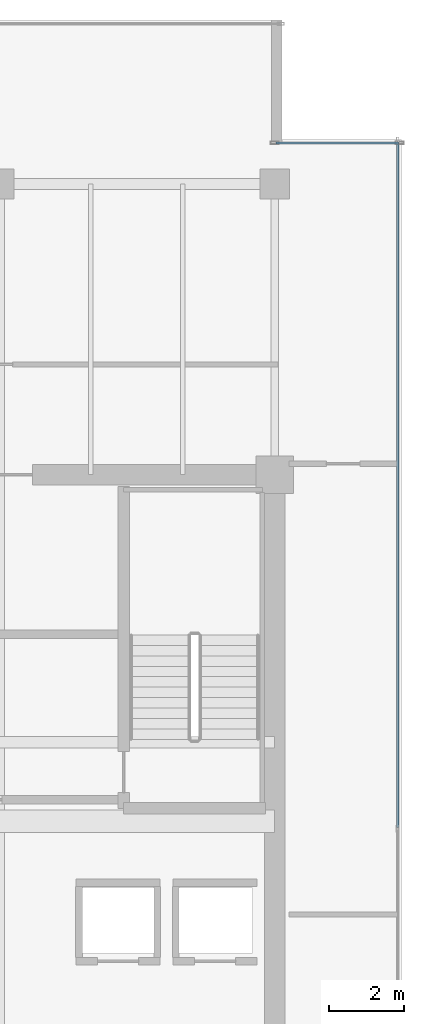
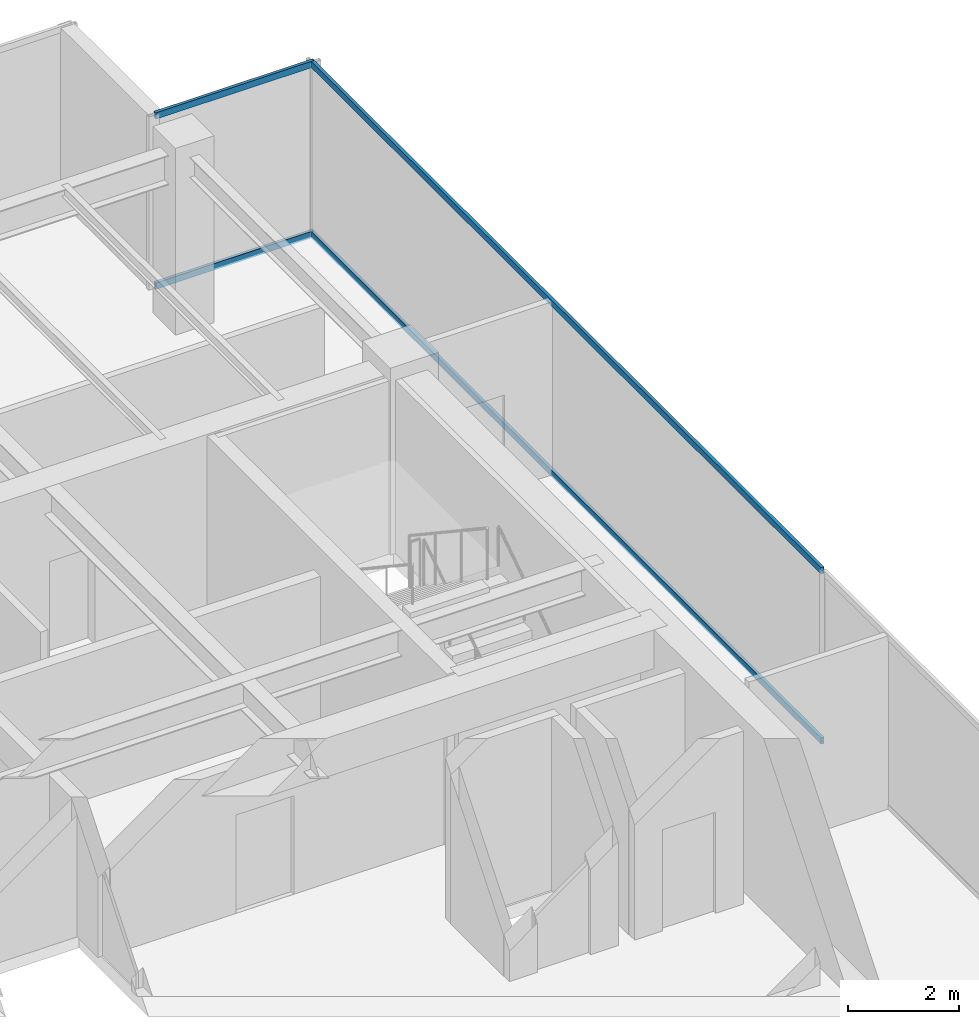
# One storey, part 25 of 33: 4 members, 2 elements without a shape of their own.
"""IFC4 building model written with IfcOpenShell, lengths in metres."""

from ifc_helpers import new_model, si_unit, direction, frame, origin, origin_2d, place, context, subcontext, project, spatial, hollow_rectangle, extrude, source, transform, mapped, material, layer, layer_set, material_profile, profile_set, type_object, type_shapes, element, aggregate, save


model = new_model("IFC4")

# Units and contexts
model_context = context("Model", 3, precision=1e-05, world=origin(), true_north=direction((0.0, 1.0)))
body_context = subcontext(model_context, "Body", "Model", "MODEL_VIEW")
ifc_project = project(units=[si_unit("LENGTHUNIT", "METRE"), si_unit("AREAUNIT", "SQUARE_METRE"), si_unit("VOLUMEUNIT", "CUBIC_METRE"), si_unit("PLANEANGLEUNIT", "RADIAN"), si_unit("MASSUNIT", "GRAM", prefix="KILO")], contexts=[model_context])

# Site, building, storey
site_placement = place(None, origin())
site = spatial("IfcSite", under=ifc_project, at=site_placement, CompositionType="ELEMENT")
building_placement = place(site_placement, origin())
building = spatial("IfcBuilding", under=site, at=building_placement, Name="Haelvirn Gate Laboratories", CompositionType="ELEMENT")
storey_placement = place(building_placement, frame((0.0, 0.0, 267.0)))
storey = spatial("IfcBuildingStorey", under=building, at=storey_placement, Name="L64", CompositionType="ELEMENT", Elevation=267.0)

# Curtain wall, members
ifc_material_1 = material(Name="Anodised bronze unitised aluminium & triple low-E glass", Category="aluminium")
ifc_layer_1 = layer(ifc_material_1, 0.181884765625, Name="CW-SYS-5")
ifc_layer_set_1 = layer_set([ifc_layer_1], Name="Anodised bronze unitised aluminium & triple low-E glass")
curtain_wall_type_1 = type_object("IfcCurtainWallType", Name="CW-SYS-5", PredefinedType="NOTDEFINED", material=ifc_layer_set_1)
curtain_wall_1_placement = place(storey_placement, origin())
curtain_wall_1 = element("IfcCurtainWall", 1, at=curtain_wall_1_placement, inside=storey, type_object=curtain_wall_type_1, Name="L64 Unitised Curtain Wall CW-L64-P0-E08-1", PredefinedType="NOTDEFINED")
ifc_material_2 = material(Name="Extruded aluminium 6063-T6 (anodised bronze)", Category="aluminium")
ifc_material_profile = material_profile(ifc_material_2, hollow_rectangle(XDim=0.06494140625, YDim=0.139892578125, WallThickness=0.00390625, at=origin_2d()), Name="CWT-140x65x4")
ifc_profile_set = profile_set([ifc_material_profile], Name="Extruded aluminium 6063-T6 (anodised bronze)")
member_type = type_object("IfcMemberType", Name="CWT-T140", PredefinedType="USERDEFINED", material=ifc_profile_set)
shared_shape_1 = source(origin(), body_context, "Body", "SweptSolid", [
    extrude(hollow_rectangle(XDim=0.06494140625, YDim=0.139892578125, WallThickness=0.00390625, at=origin_2d()), origin(), (0.0, 0.0, 1.0), 3.280029296875),
])
member_1_placement = place(storey_placement, frame((67.43994140625, 42.699951171875, 0.032470703125), z_axis=(1.0, 0.0, 0.0), x_axis=(0.0, 1.0, 0.0)))
member_1 = element("IfcMember", 2, at=member_1_placement, type_object=member_type, Name="CW5 transom 1.1", ObjectType="TRANSOM", PredefinedType="USERDEFINED", context=body_context, shape_type="MappedRepresentation", body=[
    mapped(shared_shape_1, transform((0.0, 0.0, 0.0), scale=1.0)),
])
member_2_placement = place(storey_placement, frame((67.43994140625, 42.699951171875, 3.767578125), z_axis=(1.0, 0.0, 0.0), x_axis=(0.0, 1.0, 0.0)))
member_2 = element("IfcMember", 3, at=member_2_placement, type_object=member_type, Name="CW5 transom 1.2", ObjectType="TRANSOM", PredefinedType="USERDEFINED", context=body_context, shape_type="MappedRepresentation", body=[
    mapped(shared_shape_1, transform((0.0, 0.0, 0.0), scale=1.0)),
])
aggregate(curtain_wall_1, [member_1, member_2])

ifc_layer_2 = layer(ifc_material_1, 0.176025390625, Name="CW-SYS-4")
ifc_layer_set_2 = layer_set([ifc_layer_2], Name="Anodised bronze unitised aluminium & triple low-E glass")
curtain_wall_type_2 = type_object("IfcCurtainWallType", Name="CW-SYS-4", PredefinedType="NOTDEFINED", material=ifc_layer_set_2)
curtain_wall_2_placement = place(storey_placement, origin())
curtain_wall_2 = element("IfcCurtainWall", 4, at=curtain_wall_2_placement, inside=storey, type_object=curtain_wall_type_2, Name="L64 Unitised Curtain Wall CW-L64-P0-E07", PredefinedType="NOTDEFINED")
shared_shape_2 = source(origin(), body_context, "Body", "SweptSolid", [
    extrude(hollow_rectangle(XDim=0.06494140625, YDim=0.139892578125, WallThickness=0.00390625, at=origin_2d()), origin(), (0.0, 0.0, 1.0), 18.39501953125),
])
type_shapes(member_type, [shared_shape_1, shared_shape_2])
member_3_placement = place(storey_placement, frame((70.699951171875, 24.3349609375, 0.032470703125), z_axis=(0.0, 1.0, 0.0), x_axis=(-1.0, 0.0, 0.0)))
member_3 = element("IfcMember", 5, at=member_3_placement, type_object=member_type, Name="CW4 transom 2.1", ObjectType="TRANSOM", PredefinedType="USERDEFINED", context=body_context, shape_type="MappedRepresentation", body=[
    mapped(shared_shape_2, transform((0.0, 0.0, 0.0), scale=1.0)),
])
member_4_placement = place(storey_placement, frame((70.699951171875, 24.3349609375, 3.767578125), z_axis=(0.0, 1.0, 0.0), x_axis=(-1.0, 0.0, 0.0)))
member_4 = element("IfcMember", 6, at=member_4_placement, type_object=member_type, Name="CW4 transom 2.2", ObjectType="TRANSOM", PredefinedType="USERDEFINED", context=body_context, shape_type="MappedRepresentation", body=[
    mapped(shared_shape_2, transform((0.0, 0.0, 0.0), scale=1.0)),
])
aggregate(curtain_wall_2, [member_3, member_4])

save(model, "model.ifc")
